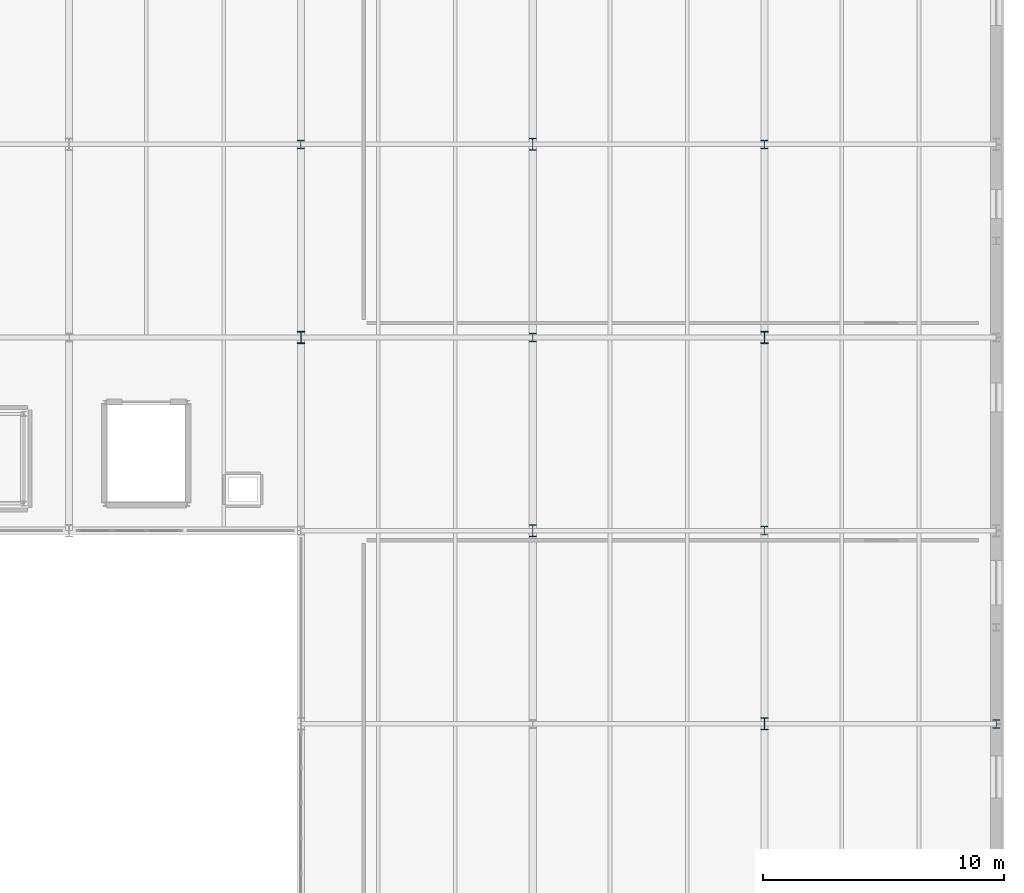
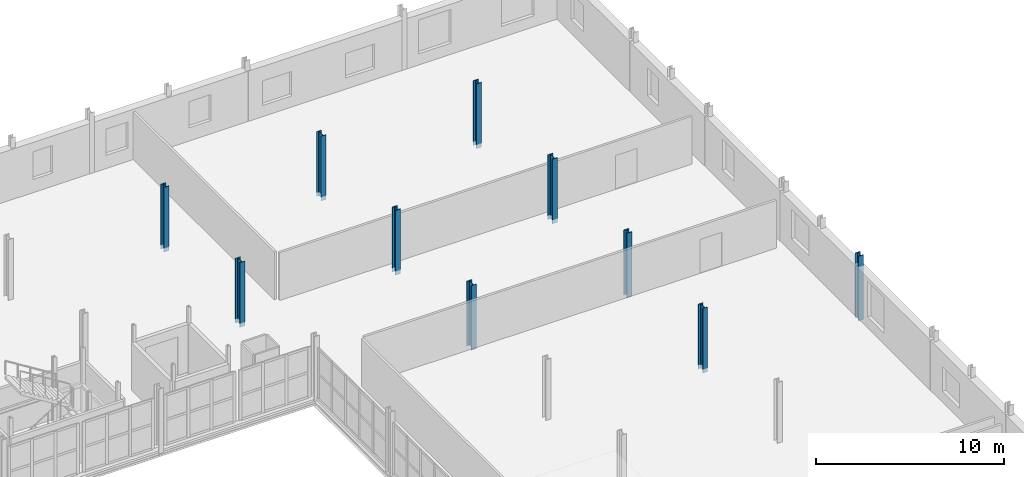
# One storey, part 27 of 78: 10 columns.
"""IFC4 building model written with IfcOpenShell, lengths in metres."""

from ifc_helpers import new_model, si_unit, direction, frame, origin, origin_2d, place, context, subcontext, project, spatial, i_section, extrude, material, material_profile, profile_set, type_object, element, save


model = new_model("IFC4")

# Units and contexts
model_context = context("Model", 3, precision=1e-05, world=origin(), true_north=direction((0.0, 1.0)))
body_context = subcontext(model_context, "Body", "Model", "MODEL_VIEW")
ifc_project = project(units=[si_unit("LENGTHUNIT", "METRE"), si_unit("AREAUNIT", "SQUARE_METRE"), si_unit("VOLUMEUNIT", "CUBIC_METRE"), si_unit("PLANEANGLEUNIT", "RADIAN"), si_unit("MASSUNIT", "GRAM", prefix="KILO")], contexts=[model_context])

# Site, building, storey
site_placement = place(None, origin())
site = spatial("IfcSite", under=ifc_project, at=site_placement, CompositionType="ELEMENT")
building_placement = place(site_placement, origin())
building = spatial("IfcBuilding", under=site, at=building_placement, Name="Alderhovde Museum", CompositionType="ELEMENT")
storey_placement = place(building_placement, frame((0.0, 0.0, 4.5)))
storey = spatial("IfcBuildingStorey", under=building, at=storey_placement, Name="L01", CompositionType="ELEMENT", Elevation=4.5)

# Columns
ifc_material_1 = material(Name="Steel S355J2", Category="steel")
ifc_material_profile_1 = material_profile(ifc_material_1, i_section(OverallWidth=0.300048828125, OverallDepth=0.5, WebThickness=0.014404296875, FlangeThickness=0.028076171875, FilletRadius=0.027099609375, at=origin_2d()), Name="HEB 500")
ifc_profile_set_1 = profile_set([ifc_material_profile_1], Name="Steel S355J2")
column_type_1 = type_object("IfcColumnType", Name="COL-HEB500", PredefinedType="COLUMN", material=ifc_profile_set_1)
for number, where, z_axis, x_axis, name in (
    (1, (144.0, 80.0, -0.260009765625), (0.0, 0.0, 1.0), (1.0, 0.0, 0.0), "L01 Column (144.0, 80.0)"),
    (2, (153.60009765625, 72.0, -0.260009765625), (0.0, 0.0, 1.0), (1.0, 0.0, 0.0), "L01 Column (153.6, 72.0)"),
    (3, (153.60009765625, 88.0, -0.260009765625), (0.0, 0.0, 1.0), (1.0, 0.0, 0.0), "L01 Column (153.6, 88.0)"),
    (4, (163.199951171875, 64.0, -0.260009765625), (0.0, 0.0, 1.0), (1.0, 0.0, 0.0), "L01 Column (163.2, 64.0)"),
    (5, (163.199951171875, 80.0, -0.260009765625), (0.0, 0.0, 1.0), (1.0, 0.0, 0.0), "L01 Column (163.2, 80.0)"),
):
    element("IfcColumn", number, at=place(storey_placement, frame(where, z_axis=z_axis, x_axis=x_axis)), inside=storey, type_object=column_type_1, Name=name, PredefinedType="COLUMN", context=body_context, shape_type="SweptSolid", body=[
        extrude(i_section(OverallWidth=0.300048828125, OverallDepth=0.5, WebThickness=0.014404296875, FlangeThickness=0.028076171875, FilletRadius=0.027099609375, at=origin_2d()), origin(), (0.0, 0.0, 1.0), 4.199951171875),
    ])
ifc_material_2 = material(Name="Steel S355J2", Category="steel")
ifc_material_profile_2 = material_profile(ifc_material_2, i_section(OverallWidth=0.30908203125, OverallDepth=0.376953125, WebThickness=0.02099609375, FlangeThickness=0.0400390625, FilletRadius=0.027099609375, at=origin_2d()), Name="HEM 340")
ifc_profile_set_2 = profile_set([ifc_material_profile_2], Name="Steel S355J2")
column_type_2 = type_object("IfcColumnType", Name="COL-HEM340", PredefinedType="COLUMN", material=ifc_profile_set_2)
for number, where, z_axis, x_axis, name in (
    (6, (144.0, 88.0, -0.260009765625), (0.0, 0.0, 1.0), (1.0, 0.0, 0.0), "L01 Column (144.0, 88.0)"),
    (7, (153.60009765625, 80.0, -0.260009765625), (0.0, 0.0, 1.0), (1.0, 0.0, 0.0), "L01 Column (153.6, 80.0)"),
    (8, (163.199951171875, 72.0, -0.260009765625), (0.0, 0.0, 1.0), (1.0, 0.0, 0.0), "L01 Column (163.2, 72.0)"),
    (9, (163.199951171875, 88.0, -0.260009765625), (0.0, 0.0, 1.0), (1.0, 0.0, 0.0), "L01 Column (163.2, 88.0)"),
    (10, (172.800048828125, 64.0, -0.260009765625), (0.0, 0.0, 1.0), (1.0, 0.0, 0.0), "L01 Column (172.8, 64.0)"),
):
    element("IfcColumn", number, at=place(storey_placement, frame(where, z_axis=z_axis, x_axis=x_axis)), inside=storey, type_object=column_type_2, Name=name, PredefinedType="COLUMN", context=body_context, shape_type="SweptSolid", body=[
        extrude(i_section(OverallWidth=0.30908203125, OverallDepth=0.376953125, WebThickness=0.02099609375, FlangeThickness=0.0400390625, FilletRadius=0.027099609375, at=origin_2d()), origin(), (0.0, 0.0, 1.0), 4.199951171875),
    ])

save(model, "model.ifc")
